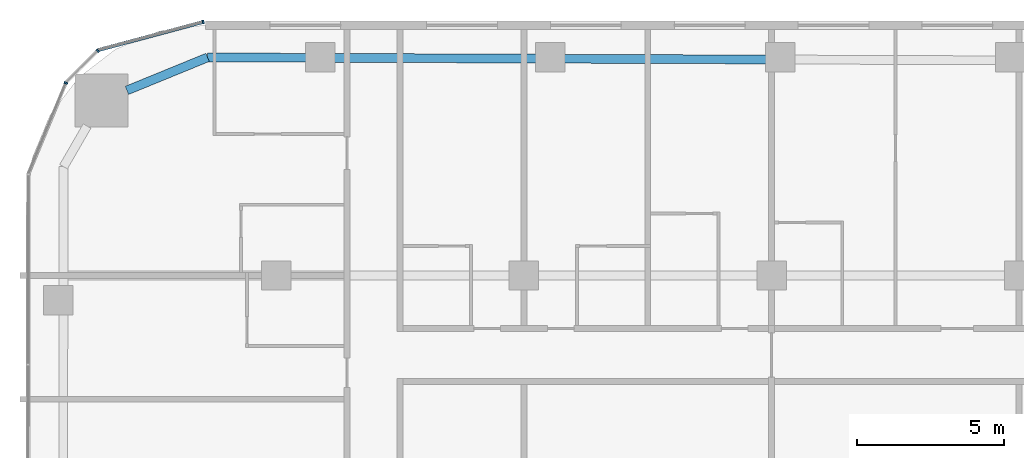
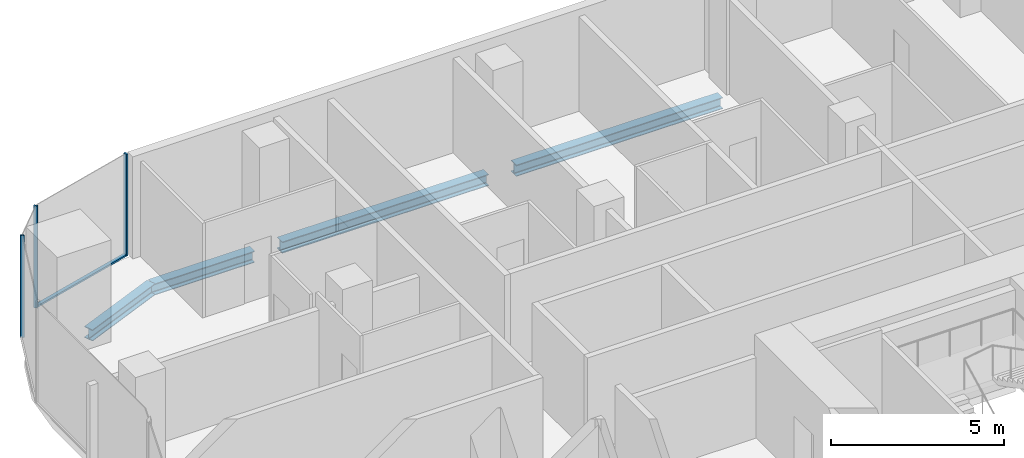
# One storey, part 10 of 26: 4 beams, 4 members, 3 elements without a shape of their own.
"""IFC4 building model written with IfcOpenShell, lengths in metres."""

from ifc_helpers import new_model, si_unit, direction, frame, origin, origin_2d, place, context, subcontext, project, spatial, rectangle, i_section, extrude, material, layer, layer_set, material_profile, profile_set, type_object, element, aggregate, save


model = new_model("IFC4")

# Units and contexts
model_context = context("Model", 3, precision=1e-05, world=origin(), true_north=direction((0.0, 1.0)))
body_context = subcontext(model_context, "Body", "Model", "MODEL_VIEW")
ifc_project = project(units=[si_unit("LENGTHUNIT", "METRE"), si_unit("AREAUNIT", "SQUARE_METRE"), si_unit("VOLUMEUNIT", "CUBIC_METRE"), si_unit("PLANEANGLEUNIT", "RADIAN"), si_unit("MASSUNIT", "GRAM", prefix="KILO")], contexts=[model_context])

# Site, building, storey
site_placement = place(None, origin())
site = spatial("IfcSite", under=ifc_project, at=site_placement, CompositionType="ELEMENT")
building_placement = place(site_placement, origin())
building = spatial("IfcBuilding", under=site, at=building_placement, Name="Marenta Gate Hotel Tower", CompositionType="ELEMENT")
storey_placement = place(building_placement, frame((0.0, 0.0, 43.699951171875)))
storey = spatial("IfcBuildingStorey", under=building, at=storey_placement, Name="L08", CompositionType="ELEMENT", Elevation=43.699951171875)

# Beams
ifc_material_1 = material(Name="Steel S355", Category="steel")
ifc_material_profile_1 = material_profile(ifc_material_1, i_section(OverallWidth=0.300048828125, OverallDepth=0.39990234375, WebThickness=0.013427734375, FlangeThickness=0.02392578125, FilletRadius=0.027099609375, at=origin_2d()), Name="HEB 400")
ifc_profile_set_1 = profile_set([ifc_material_profile_1], Name="Steel S355")
beam_type = type_object("IfcBeamType", Name="Edge beam HEB 400", PredefinedType="SPANDREL", material=ifc_profile_set_1)
beam_1_placement = place(storey_placement, frame((-26.072509765625, 31.47998046875, -0.4599609375), z_axis=(0.925545641603, 0.378636059177, 0.0), x_axis=(-0.378636059177, 0.925545641603, 0.0)))
element("IfcBeam", 1, at=beam_1_placement, inside=storey, type_object=beam_type, Name="L08-EB-12", PredefinedType="SPANDREL", context=body_context, shape_type="SweptSolid", body=[
    extrude(i_section(OverallWidth=0.300048828125, OverallDepth=0.39990234375, WebThickness=0.013427734375, FlangeThickness=0.02392578125, FilletRadius=0.027099609375, at=origin_2d()), origin(), (0.0, 0.0, 1.0), 2.958251953125),
])
beam_2_placement = place(storey_placement, frame((-23.33447265625, 32.60009765625, -0.4599609375), z_axis=(0.999992894549, -0.00376972818, 0.0), x_axis=(0.00376972818, 0.999992894549, 0.0)))
element("IfcBeam", 2, at=beam_2_placement, inside=storey, type_object=beam_type, Name="L08-EB-13", PredefinedType="SPANDREL", context=body_context, shape_type="SweptSolid", body=[
    extrude(i_section(OverallWidth=0.300048828125, OverallDepth=0.39990234375, WebThickness=0.013427734375, FlangeThickness=0.02392578125, FilletRadius=0.027099609375, at=origin_2d()), origin(), (0.0, 0.0, 1.0), 3.36767578125),
])
for number, where, z_axis, x_axis, name in (
    (3, (-19.046875, 32.583984375, -0.4599609375), (0.999993064268, -0.003724435008, 0.0), (0.003724435008, 0.999993064268, 0.0), "L08-EB-14"),
    (4, (-11.244140625, 32.554931640625, -0.4599609375), (0.999993064268, -0.003724435008, 0.0), (0.003724435008, 0.999993064268, 0.0), "L08-EB-15"),
):
    element("IfcBeam", number, at=place(storey_placement, frame(where, z_axis=z_axis, x_axis=x_axis)), inside=storey, type_object=beam_type, Name=name, PredefinedType="SPANDREL", context=body_context, shape_type="SweptSolid", body=[
        extrude(i_section(OverallWidth=0.300048828125, OverallDepth=0.39990234375, WebThickness=0.013427734375, FlangeThickness=0.02392578125, FilletRadius=0.027099609375, at=origin_2d()), origin(), (0.0, 0.0, 1.0), 6.8828125),
    ])

# Curtain wall, member
ifc_material_2 = material(Name="Tinted insulated glass in bronze anodised frame", Category="glass")
ifc_layer = layer(ifc_material_2, 0.1201171875)
ifc_layer_set = layer_set([ifc_layer], Name="Tinted insulated glass in bronze anodised frame")
curtain_wall_type = type_object("IfcCurtainWallType", Name="Tower unitised curtain wall CW1", PredefinedType="NOTDEFINED", material=ifc_layer_set)
curtain_wall_1_placement = place(storey_placement, origin())
curtain_wall_1 = element("IfcCurtainWall", 5, at=curtain_wall_1_placement, inside=storey, type_object=curtain_wall_type, Name="CW1 run G00", PredefinedType="NOTDEFINED")
ifc_material_3 = material(Name="Bronze anodised aluminium", Category="aluminium")
ifc_material_profile_2 = material_profile(ifc_material_3, rectangle(XDim=0.1201171875, YDim=0.06005859375, at=origin_2d()), Name="Mullion CW1 60x120 bronze anodised aluminium")
ifc_profile_set_2 = profile_set([ifc_material_profile_2], Name="Bronze anodised aluminium")
member_type_1 = type_object("IfcMemberType", Name="Mullion CW1 60x120 bronze anodised aluminium", PredefinedType="MULLION", material=ifc_profile_set_2)
member_1_placement = place(storey_placement, frame((-23.485595703125, 33.80322265625, 0.0), z_axis=(0.0, 0.0, 1.0), x_axis=(0.258801657317, -0.965930485164, 0.0)))
member_1 = element("IfcMember", 6, at=member_1_placement, type_object=member_type_1, Name="CW1 mullion 1", PredefinedType="MULLION", context=body_context, shape_type="SweptSolid", body=[
    extrude(rectangle(XDim=0.1201171875, YDim=0.06005859375, at=origin_2d()), origin(), (0.0, 0.0, 1.0), 3.60009765625),
])

curtain_wall_2_placement = place(storey_placement, origin())
curtain_wall_2 = element("IfcCurtainWall", 7, at=curtain_wall_2_placement, inside=storey, type_object=curtain_wall_type, Name="CW1 run G01", PredefinedType="NOTDEFINED")
member_2_placement = place(storey_placement, frame((-27.06103515625, 32.82958984375, 0.0), z_axis=(0.0, 0.0, 1.0), x_axis=(0.707106781187, -0.707106781187, 0.0)))
member_2 = element("IfcMember", 8, at=member_2_placement, type_object=member_type_1, Name="CW1 mullion 1", PredefinedType="MULLION", context=body_context, shape_type="SweptSolid", body=[
    extrude(rectangle(XDim=0.1201171875, YDim=0.06005859375, at=origin_2d()), origin(), (0.0, 0.0, 1.0), 3.60009765625),
])
aggregate(curtain_wall_2, [member_2])

curtain_wall_3_placement = place(storey_placement, origin())
curtain_wall_3 = element("IfcCurtainWall", 9, at=curtain_wall_3_placement, inside=storey, type_object=curtain_wall_type, Name="CW1 run G02", PredefinedType="NOTDEFINED")
member_3_placement = place(storey_placement, frame((-28.142333984375, 31.732177734375, 0.0), z_axis=(0.0, 0.0, 1.0), x_axis=(0.923885075314, -0.382670050581, 0.0)))
member_3 = element("IfcMember", 10, at=member_3_placement, type_object=member_type_1, Name="CW1 mullion 1", PredefinedType="MULLION", context=body_context, shape_type="SweptSolid", body=[
    extrude(rectangle(XDim=0.1201171875, YDim=0.06005859375, at=origin_2d()), origin(), (0.0, 0.0, 1.0), 3.60009765625),
])
aggregate(curtain_wall_3, [member_3])

# Member
ifc_material_4 = material(Name="Bronze anodised aluminium", Category="aluminium")
ifc_material_profile_3 = material_profile(ifc_material_4, rectangle(XDim=0.1201171875, YDim=0.06005859375, at=origin_2d()), Name="Transom CW1 60x120 bronze anodised aluminium")
ifc_profile_set_3 = profile_set([ifc_material_profile_3], Name="Bronze anodised aluminium")
member_type_2 = type_object("IfcMemberType", Name="Transom CW1 60x120 bronze anodised aluminium", PredefinedType="USERDEFINED", material=ifc_profile_set_3)
member_4_placement = place(storey_placement, frame((-23.514404296875, 33.79541015625, 0.030029296875), z_axis=(-0.965928942389, -0.258807415381, 0.0), x_axis=(0.258807415381, -0.965928942389, 0.0)))
member_4 = element("IfcMember", 11, at=member_4_placement, type_object=member_type_2, Name="CW1 transom 1.1", ObjectType="TRANSOM", PredefinedType="USERDEFINED", context=body_context, shape_type="SweptSolid", body=[
    extrude(rectangle(XDim=0.1201171875, YDim=0.06005859375, at=origin_2d()), origin(), (0.0, 0.0, 1.0), 3.649658203125),
])

aggregate(curtain_wall_1, [member_1, member_4])

save(model, "model.ifc")
